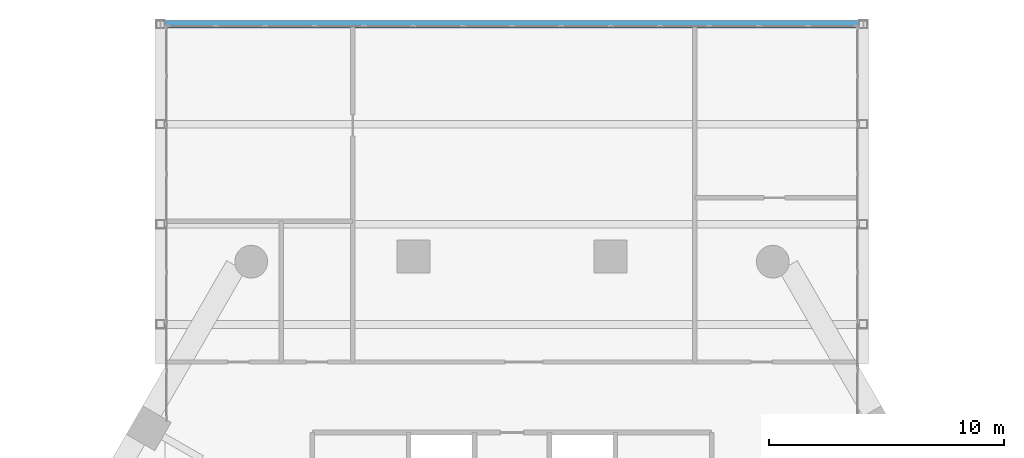
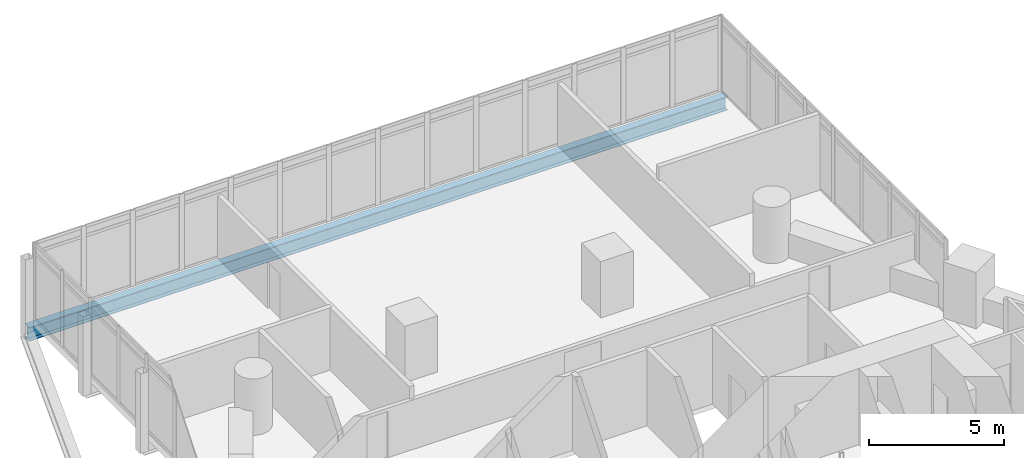
# One storey, part 21 of 38: 1 beam.
"""IFC4 building model written with IfcOpenShell, lengths in metres."""

from ifc_helpers import new_model, si_unit, direction, frame, origin, origin_2d, place, context, subcontext, project, spatial, i_section, extrude, material, material_profile, profile_set, type_object, element, save


model = new_model("IFC4")

# Units and contexts
model_context = context("Model", 3, precision=1e-05, world=origin(), true_north=direction((0.0, 1.0)))
body_context = subcontext(model_context, "Body", "Model", "MODEL_VIEW")
ifc_project = project(units=[si_unit("LENGTHUNIT", "METRE"), si_unit("AREAUNIT", "SQUARE_METRE"), si_unit("VOLUMEUNIT", "CUBIC_METRE"), si_unit("PLANEANGLEUNIT", "RADIAN"), si_unit("MASSUNIT", "GRAM", prefix="KILO")], contexts=[model_context])

# Site, building, storey
site_placement = place(None, origin())
site = spatial("IfcSite", under=ifc_project, at=site_placement, CompositionType="ELEMENT")
building_placement = place(site_placement, origin())
building = spatial("IfcBuilding", under=site, at=building_placement, Name="Ostrander Bayou Hotel Tower", CompositionType="ELEMENT")
storey_placement = place(building_placement, frame((0.0, 0.0, 65.5)))
storey = spatial("IfcBuildingStorey", under=building, at=storey_placement, Name="L16", CompositionType="ELEMENT", Elevation=65.5)

# Beam
ifc_material = material(Name="Steel ASTM A992", Category="steel")
ifc_material_profile = material_profile(ifc_material, i_section(OverallWidth=0.32763671875, OverallDepth=0.621826171875, WebThickness=0.015380859375, FlangeThickness=0.0244140625, at=origin_2d()))
ifc_profile_set = profile_set([ifc_material_profile], Name="Steel ASTM A992")
beam_type = type_object("IfcBeamType", Name="TF1 bar floor beam W24x131", PredefinedType="BEAM", material=ifc_profile_set)
beam_placement = place(storey_placement, frame((-14.965087890625, 30.986083984375, -0.61083984375), z_axis=(1.0, 0.0, 0.0), x_axis=(0.0, 1.0, 0.0)))
element("IfcBeam", 1, at=beam_placement, inside=storey, type_object=beam_type, Name="TF1 SB1W L1-1", PredefinedType="BEAM", context=body_context, shape_type="SweptSolid", body=[
    extrude(i_section(OverallWidth=0.32763671875, OverallDepth=0.621826171875, WebThickness=0.015380859375, FlangeThickness=0.0244140625, at=origin_2d()), origin(), (0.0, 0.0, 1.0), 29.93017578125),
])

save(model, "model.ifc")
